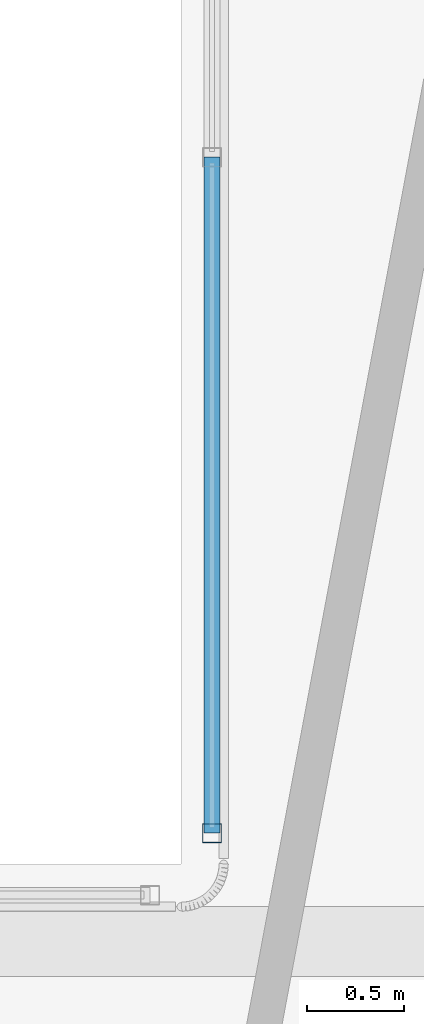
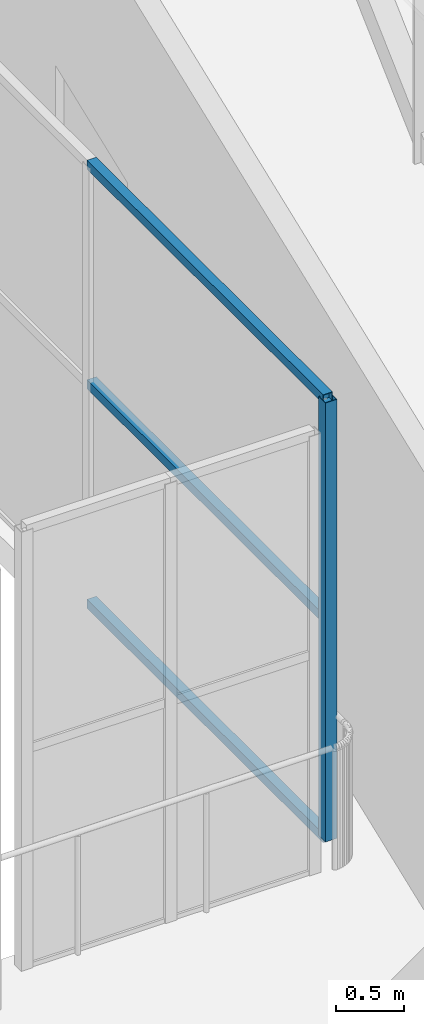
# One storey, part 91 of 151: 4 members, 1 element without a shape of its own.
"""IFC4 building model written with IfcOpenShell, lengths in metres."""

from ifc_helpers import new_model, si_unit, direction, frame, origin, origin_2d, place, context, subcontext, project, spatial, hollow_rectangle, extrude, material, material_profile, profile_set, type_object, element, aggregate, save


model = new_model("IFC4")

# Units and contexts
model_context = context("Model", 3, precision=1e-05, world=origin(), true_north=direction((0.0, 1.0)))
body_context = subcontext(model_context, "Body", "Model", "MODEL_VIEW")
ifc_project = project(units=[si_unit("LENGTHUNIT", "METRE"), si_unit("AREAUNIT", "SQUARE_METRE"), si_unit("VOLUMEUNIT", "CUBIC_METRE"), si_unit("PLANEANGLEUNIT", "RADIAN"), si_unit("MASSUNIT", "GRAM", prefix="KILO")], contexts=[model_context])

# Site, building, storey
site_placement = place(None, origin())
site = spatial("IfcSite", under=ifc_project, at=site_placement, CompositionType="ELEMENT")
building_placement = place(site_placement, origin())
building = spatial("IfcBuilding", under=site, at=building_placement, Name="Zuvorla Pavilion Media Centre", CompositionType="ELEMENT")
storey_placement = place(building_placement, frame((0.0, 0.0, 13.800048828125)))
storey = spatial("IfcBuildingStorey", under=building, at=storey_placement, Name="L03", CompositionType="ELEMENT", Elevation=13.800048828125)

# Curtain wall, members
ifc_material_1 = material(Name="Unitised anodised aluminium and solar glass curtain wall", Category="aluminium")
curtain_wall_type = type_object("IfcCurtainWallType", Name="CW-SYS-24", PredefinedType="USERDEFINED", material=ifc_material_1)
curtain_wall_placement = place(storey_placement, origin())
curtain_wall = element("IfcCurtainWall", 1, at=curtain_wall_placement, inside=storey, type_object=curtain_wall_type, Name="L03 curtain wall CW24 187", ObjectType="CURTAIN WALL", PredefinedType="USERDEFINED")
ifc_material_2 = material(Name="Anodised aluminium 6063-T6", Category="aluminium")
ifc_material_profile_1 = material_profile(ifc_material_2, hollow_rectangle(XDim=0.10009765625, YDim=0.10009765625, WallThickness=0.00439453125, at=origin_2d()), Name="ALU MULL 100x100")
ifc_profile_set_1 = profile_set([ifc_material_profile_1], Name="Anodised aluminium 6063-T6")
member_type_1 = type_object("IfcMemberType", Name="CW-MULL-100", PredefinedType="MULLION", material=ifc_profile_set_1)
member_1_placement = place(storey_placement, frame((154.159912109375, 52.159912109375, 0.0), z_axis=(0.0, 0.0, 1.0), x_axis=(1.0, 0.0, 0.0)))
member_1 = element("IfcMember", 2, at=member_1_placement, type_object=member_type_1, Name="CW24 mullion 1", PredefinedType="MULLION", context=body_context, shape_type="SweptSolid", body=[
    extrude(hollow_rectangle(XDim=0.10009765625, YDim=0.10009765625, WallThickness=0.00439453125, at=origin_2d()), origin(), (0.0, 0.0, 1.0), 3.9599609375),
])
ifc_material_profile_2 = material_profile(ifc_material_2, hollow_rectangle(XDim=0.080078125, YDim=0.080078125, WallThickness=0.00390625, at=origin_2d()), Name="ALU TRAN 80x80")
ifc_profile_set_2 = profile_set([ifc_material_profile_2], Name="Anodised aluminium 6063-T6")
member_type_2 = type_object("IfcMemberType", Name="CW-TRAN-80", PredefinedType="USERDEFINED", material=ifc_profile_set_2)
member_2_placement = place(storey_placement, frame((154.159912109375, 52.159912109375, 0.0), z_axis=(0.0, 1.0, 0.0), x_axis=(-1.0, 0.0, 0.0)))
member_2 = element("IfcMember", 3, at=member_2_placement, type_object=member_type_2, Name="CW24 transom 1.1", ObjectType="TRANSOM", PredefinedType="USERDEFINED", context=body_context, shape_type="SweptSolid", body=[
    extrude(hollow_rectangle(XDim=0.080078125, YDim=0.080078125, WallThickness=0.00390625, at=origin_2d()), origin(), (0.0, 0.0, 1.0), 3.489990234375),
])
member_3_placement = place(storey_placement, frame((154.159912109375, 52.159912109375, 1.97998046875), z_axis=(0.0, 1.0, 0.0), x_axis=(-1.0, 0.0, 0.0)))
member_3 = element("IfcMember", 4, at=member_3_placement, type_object=member_type_2, Name="CW24 transom 1.2", ObjectType="TRANSOM", PredefinedType="USERDEFINED", context=body_context, shape_type="SweptSolid", body=[
    extrude(hollow_rectangle(XDim=0.080078125, YDim=0.080078125, WallThickness=0.00390625, at=origin_2d()), origin(), (0.0, 0.0, 1.0), 3.489990234375),
])
member_4_placement = place(storey_placement, frame((154.159912109375, 52.159912109375, 3.9599609375), z_axis=(0.0, 1.0, 0.0), x_axis=(-1.0, 0.0, 0.0)))
member_4 = element("IfcMember", 5, at=member_4_placement, type_object=member_type_2, Name="CW24 transom 1.3", ObjectType="TRANSOM", PredefinedType="USERDEFINED", context=body_context, shape_type="SweptSolid", body=[
    extrude(hollow_rectangle(XDim=0.080078125, YDim=0.080078125, WallThickness=0.00390625, at=origin_2d()), origin(), (0.0, 0.0, 1.0), 3.489990234375),
])
aggregate(curtain_wall, [member_1, member_2, member_3, member_4])

save(model, "model.ifc")
